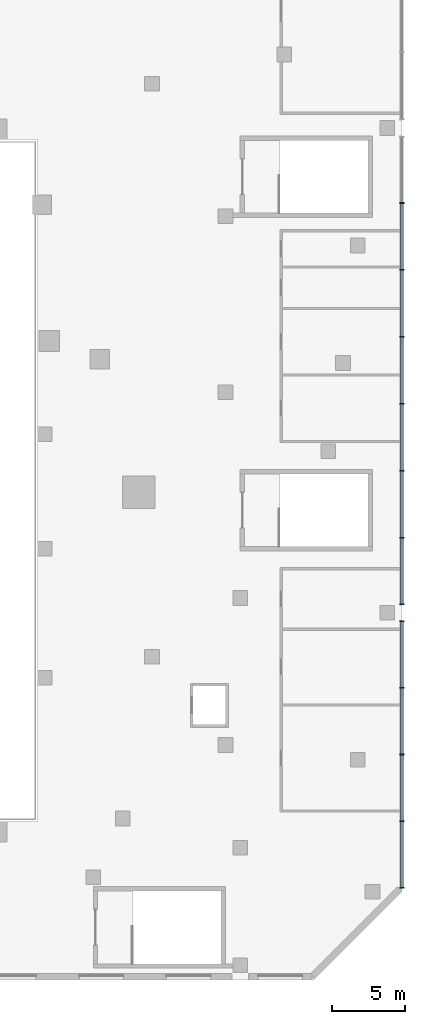
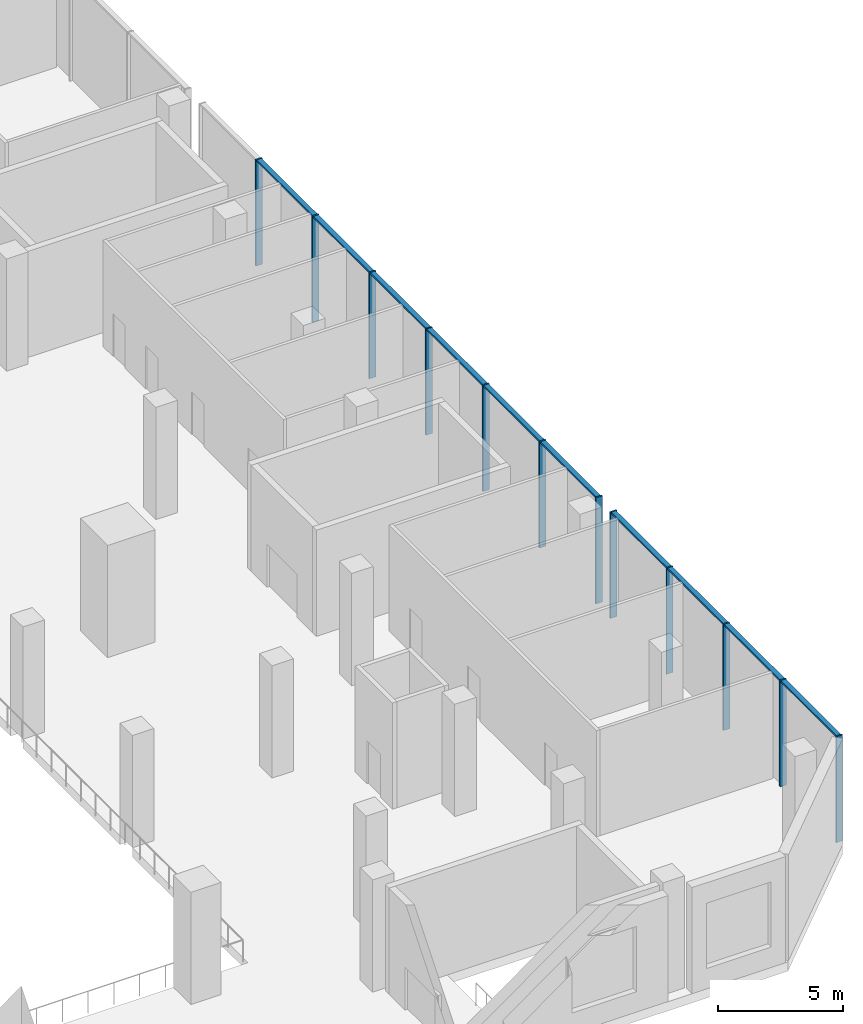
# One storey, part 4 of 25: 22 members, 2 elements without a shape of their own.
"""IFC4 building model written with IfcOpenShell, lengths in metres."""

import ifcopenshell
import ifcopenshell.guid

model = None  # the IFC model being written
_history = None  # IfcOwnerHistory: only IFC2X3 demands one
_inside = {}  # id of a spatial element -> (the spatial element, [elements in it])
_under = {}  # id of a project, library or spatial element -> (it, [spatial elements below it])
_declared = {}  # id of a project -> (the project, [libraries it declares])
_typed = {}  # id of a type object -> (the type object, [elements of that type])
_made_of = {}  # id of a material, layer set ... -> (it, [elements and type objects made of it])


def new_model(schema):
    """Start an empty IFC model of exactly this schema.

    Asked for "IFC4X3", IfcOpenShell would pick the latest addendum, in which some entities
    have other attributes; the version numbers below select the first issue.
    IFC2X3 requires an IfcOwnerHistory on every rooted entity: one is made here for all.
    """
    global model, _history
    if schema == "IFC4X3":
        model = ifcopenshell.file(schema_version=(4, 3, 0, 0))
    else:
        model = ifcopenshell.file(schema=schema)
    _inside.clear()
    _under.clear()
    _declared.clear()
    _typed.clear()
    _made_of.clear()
    _history = None
    if model.schema == "IFC2X3":
        org = make("IfcOrganization", Name="unknown")
        user = make(
            "IfcPersonAndOrganization",
            ThePerson=make("IfcPerson", FamilyName="unknown"),
            TheOrganization=org,
        )
        app = make(
            "IfcApplication",
            ApplicationDeveloper=org,
            Version="unknown",
            ApplicationFullName="unknown",
            ApplicationIdentifier="unknown",
        )
        _history = make(
            "IfcOwnerHistory",
            OwningUser=user,
            OwningApplication=app,
            ChangeAction="ADDED",
            CreationDate=0,
        )
    return model


def make(cls, **values):
    """One entity of the class cls with the attributes given. An attribute that is None is left unset."""
    return model.create_entity(
        cls, **{name: value for name, value in values.items() if value is not None}
    )


def rooted(cls, **values):
    """An entity with a GlobalId (a new one), such as an element, a storey or a relation."""
    return make(cls, GlobalId=ifcopenshell.guid.new(), OwnerHistory=_history, **values)


def si_unit(unit_type, name, prefix=None):
    """IfcSIUnit, for example si_unit("LENGTHUNIT", "METRE", prefix="MILLI")."""
    return make("IfcSIUnit", UnitType=unit_type, Prefix=prefix, Name=name)


def assignment(units):
    """IfcUnitAssignment: the units of a project."""
    return None if units is None else make("IfcUnitAssignment", Units=units)


def point(xyz):
    """IfcCartesianPoint."""
    return None if xyz is None else make("IfcCartesianPoint", Coordinates=xyz)


def direction(xyz):
    """IfcDirection."""
    return None if xyz is None else make("IfcDirection", DirectionRatios=xyz)


def frame(location, z_axis=None, x_axis=None):
    """IfcAxis2Placement3D, a coordinate frame: its origin and axes. An axis left out is left unset."""
    return make(
        "IfcAxis2Placement3D",
        Location=point(location),
        Axis=direction(z_axis),
        RefDirection=direction(x_axis),
    )


def frame_2d(location, x_axis=None):
    """IfcAxis2Placement2D, a coordinate frame in the plane: its origin and x axis."""
    return make(
        "IfcAxis2Placement2D", Location=point(location), RefDirection=direction(x_axis)
    )


def origin():
    """The frame at (0, 0, 0) with its axes left unset."""
    return frame((0.0, 0.0, 0.0))


def origin_2d():
    """The frame at (0, 0) in the plane with its x axis left unset."""
    return frame_2d((0.0, 0.0))


def place(relative_to, where):
    """IfcLocalPlacement: puts the frame where relative to a parent placement (None: the world)."""
    return make(
        "IfcLocalPlacement", PlacementRelTo=relative_to, RelativePlacement=where
    )


def context(
    kind, dimensions, precision=None, world=None, true_north=None, identifier=None
):
    """IfcGeometricRepresentationContext, for example the 3D "Model" context."""
    return make(
        "IfcGeometricRepresentationContext",
        ContextIdentifier=identifier,
        ContextType=kind,
        CoordinateSpaceDimension=dimensions,
        Precision=precision,
        WorldCoordinateSystem=world,
        TrueNorth=true_north,
    )


def subcontext(parent, identifier, kind, view, scale=None):
    """IfcGeometricRepresentationSubContext, for example "Body" below "Model"."""
    return make(
        "IfcGeometricRepresentationSubContext",
        ContextIdentifier=identifier,
        ContextType=kind,
        ParentContext=parent,
        TargetScale=scale,
        TargetView=view,
    )


def project(units=None, contexts=None):
    """IfcProject with its units and contexts."""
    return rooted(
        "IfcProject",
        Name="project",
        RepresentationContexts=contexts,
        UnitsInContext=assignment(units),
    )


def spatial(cls, under=None, at=None, **own):
    """A site, building, storey or space (cls), placed at a placement, below another one or the project."""
    s = rooted(cls, ObjectPlacement=at, **own)
    if under is not None:
        _under.setdefault(under.id(), (under, []))[1].append(s)
    return s


def profile(cls, at=None, kind="AREA", **sizes):
    """A parametric profile (cls). Its sizes go by their IFC names, for example OverallWidth=200.0."""
    return make(cls, ProfileType=kind, Position=at, **sizes)


def rectangle(**sizes):
    """IfcRectangleProfileDef."""
    return profile("IfcRectangleProfileDef", **sizes)


def extrude(swept, where, along, depth):
    """IfcExtrudedAreaSolid: the profile swept, set in the frame where, extruded along a direction by depth."""
    return make(
        "IfcExtrudedAreaSolid",
        SweptArea=swept,
        Position=where,
        ExtrudedDirection=direction(along),
        Depth=depth,
    )


def shape(context_of_items, identifier, shape_type, items):
    """IfcShapeRepresentation: the items that make up one representation, for example the "Body"."""
    return make(
        "IfcShapeRepresentation",
        ContextOfItems=context_of_items,
        RepresentationIdentifier=identifier,
        RepresentationType=shape_type,
        Items=items,
    )


def material(Name=None, Category=None):
    """IfcMaterial."""
    return make("IfcMaterial", Name=Name, Category=Category)


def material_profile(
    of_material, cross_section, Name=None, Category=None, Priority=None
):
    """IfcMaterialProfile: a cross section and its material."""
    return make(
        "IfcMaterialProfile",
        Name=Name,
        Material=of_material,
        Profile=cross_section,
        Priority=Priority,
        Category=Category,
    )


def profile_set(profiles, Name=None, composite=None):
    """IfcMaterialProfileSet."""
    return make(
        "IfcMaterialProfileSet",
        Name=Name,
        MaterialProfiles=profiles,
        CompositeProfile=composite,
    )


def made_of(thing, what):
    """Note that an element or type object is made of a material, layer set ...; save() writes the relation."""
    if what is not None:
        _made_of.setdefault(what.id(), (what, []))[1].append(thing)
    return thing


def type_object(cls, material=None, **own):
    """A type object (cls), such as IfcWallType, which elements share."""
    return made_of(rooted(cls, **own), material)


def element(
    cls,
    number,
    at=None,
    inside=None,
    cuts=None,
    type_object=None,
    material=None,
    context=None,
    identifier="Body",
    shape_type=None,
    held_by="IfcProductDefinitionShape",
    body=None,
    shapes=None,
    **own,
):
    """One element of the class cls, such as IfcWall. Its Tag is "e" and its number.

    at: its placement. inside: the storey or other place that contains it. cuts: it is an
    opening in that element (IfcRelVoidsElement). A single representation is given by context,
    identifier, shape_type and body (its items); several are given by shapes. held_by: the class
    of the entity that holds the representations. save() writes the other relations.
    """
    e = rooted(cls, Tag="e%d" % number, ObjectPlacement=at, **own)
    if body is not None:
        shapes = [shape(context, identifier, shape_type, body)]
    if shapes is not None:
        e.Representation = make(held_by, Representations=shapes)
    if inside is not None:
        _inside.setdefault(inside.id(), (inside, []))[1].append(e)
    if cuts is not None:
        rooted(
            "IfcRelVoidsElement", RelatingBuildingElement=cuts, RelatedOpeningElement=e
        )
    if type_object is not None:
        _typed.setdefault(type_object.id(), (type_object, []))[1].append(e)
    return made_of(e, material)


def aggregate(whole, parts):
    """IfcRelAggregates: a whole, such as a stair, and the parts it consists of."""
    return rooted("IfcRelAggregates", RelatingObject=whole, RelatedObjects=parts)


def save(model, path):
    """Write the relations noted so far, then the file.

    IfcRelAggregates (storeys below a building ...), IfcRelContainedInSpatialStructure (elements
    in a storey), IfcRelDefinesByType, IfcRelAssociatesMaterial and IfcRelDeclares: one each for
    every whole, place, type object, material and project.
    """
    for whole, parts in _under.values():
        aggregate(whole, parts)
    for where, things in _inside.values():
        rooted(
            "IfcRelContainedInSpatialStructure",
            RelatedElements=things,
            RelatingStructure=where,
        )
    for kind, things in _typed.values():
        rooted("IfcRelDefinesByType", RelatedObjects=things, RelatingType=kind)
    for what, things in _made_of.values():
        rooted("IfcRelAssociatesMaterial", RelatedObjects=things, RelatingMaterial=what)
    for by, libraries in _declared.values():
        rooted("IfcRelDeclares", RelatingContext=by, RelatedDefinitions=libraries)
    model.write(path)


model = new_model("IFC4")

# Units and contexts
model_context = context("Model", 3, precision=1e-05, world=origin(), true_north=direction((0.0, 1.0)))
body_context = subcontext(model_context, "Body", "Model", "MODEL_VIEW")
ifc_project = project(units=[si_unit("LENGTHUNIT", "METRE"), si_unit("AREAUNIT", "SQUARE_METRE"), si_unit("VOLUMEUNIT", "CUBIC_METRE"), si_unit("PLANEANGLEUNIT", "RADIAN"), si_unit("MASSUNIT", "GRAM", prefix="KILO")], contexts=[model_context])

# Site, building, storey
site_placement = place(None, origin())
site = spatial("IfcSite", under=ifc_project, at=site_placement, CompositionType="ELEMENT")
building_placement = place(site_placement, origin())
building = spatial("IfcBuilding", under=site, at=building_placement, Name="Wharfspan Tower", CompositionType="ELEMENT")
storey_placement = place(building_placement, frame((0.0, 0.0, 27.5)))
storey = spatial("IfcBuildingStorey", under=building, at=storey_placement, Name="L04", CompositionType="ELEMENT", Elevation=27.5)

# Curtain wall, members
ifc_material = material(Name="Aluminium 6063-T6", Category="aluminium")
curtain_wall_type = type_object("IfcCurtainWallType", Name="CURTAIN WALL ARENA STICK WALL", PredefinedType="NOTDEFINED", material=ifc_material)
curtain_wall_1_placement = place(storey_placement, origin())
curtain_wall_1 = element("IfcCurtainWall", 1, at=curtain_wall_1_placement, inside=storey, type_object=curtain_wall_type, Name="Concourse stick wall PF3.1", PredefinedType="NOTDEFINED")
ifc_material_profile_1 = material_profile(ifc_material, rectangle(XDim=0.300049, YDim=0.070068, at=origin_2d()))
ifc_profile_set_1 = profile_set([ifc_material_profile_1], Name="Aluminium 6063-T6")
member_type_1 = type_object("IfcMemberType", Name="MULLION ARENA STICK WALL 70x300", PredefinedType="MULLION", material=ifc_profile_set_1)
member_1_placement = place(storey_placement, frame((108.0, -25.715088, 0.0), z_axis=(0.0, 0.0, 1.0), x_axis=(-1.0, 0.0, 0.0)))
member_1 = element("IfcMember", 2, at=member_1_placement, type_object=member_type_1, Name="Concourse stick wall PF3.1 mullion 1", PredefinedType="MULLION", context=body_context, shape_type="SweptSolid", body=[
    extrude(rectangle(XDim=0.300049, YDim=0.070068, at=origin_2d()), origin(), (0.0, 0.0, 1.0), 5.199951),
])
member_2_placement = place(storey_placement, frame((108.0, -21.199951, 0.0), z_axis=(0.0, 0.0, 1.0), x_axis=(-1.0, 0.0, 0.0)))
member_2 = element("IfcMember", 3, at=member_2_placement, type_object=member_type_1, Name="Concourse stick wall PF3.1 mullion 2", PredefinedType="MULLION", context=body_context, shape_type="SweptSolid", body=[
    extrude(rectangle(XDim=0.300049, YDim=0.070068, at=origin_2d()), origin(), (0.0, 0.0, 1.0), 5.199951),
])
member_3_placement = place(storey_placement, frame((108.0, -16.649902, 0.0), z_axis=(0.0, 0.0, 1.0), x_axis=(-1.0, 0.0, 0.0)))
member_3 = element("IfcMember", 4, at=member_3_placement, type_object=member_type_1, Name="Concourse stick wall PF3.1 mullion 3", PredefinedType="MULLION", context=body_context, shape_type="SweptSolid", body=[
    extrude(rectangle(XDim=0.300049, YDim=0.070068, at=origin_2d()), origin(), (0.0, 0.0, 1.0), 5.199951),
])
member_4_placement = place(storey_placement, frame((108.0, -12.100098, 0.0), z_axis=(0.0, 0.0, 1.0), x_axis=(-1.0, 0.0, 0.0)))
member_4 = element("IfcMember", 5, at=member_4_placement, type_object=member_type_1, Name="Concourse stick wall PF3.1 mullion 4", PredefinedType="MULLION", context=body_context, shape_type="SweptSolid", body=[
    extrude(rectangle(XDim=0.300049, YDim=0.070068, at=origin_2d()), origin(), (0.0, 0.0, 1.0), 5.199951),
])
member_5_placement = place(storey_placement, frame((108.0, -7.584961, 0.0), z_axis=(0.0, 0.0, 1.0), x_axis=(-1.0, 0.0, 0.0)))
member_5 = element("IfcMember", 6, at=member_5_placement, type_object=member_type_1, Name="Concourse stick wall PF3.1 mullion 5", PredefinedType="MULLION", context=body_context, shape_type="SweptSolid", body=[
    extrude(rectangle(XDim=0.300049, YDim=0.070068, at=origin_2d()), origin(), (0.0, 0.0, 1.0), 5.199951),
])

curtain_wall_2_placement = place(storey_placement, origin())
curtain_wall_2 = element("IfcCurtainWall", 7, at=curtain_wall_2_placement, inside=storey, type_object=curtain_wall_type, Name="Concourse stick wall PF3.2", PredefinedType="NOTDEFINED")
member_6_placement = place(storey_placement, frame((108.0, -6.415039, 0.0), z_axis=(0.0, 0.0, 1.0), x_axis=(-1.0, 0.0, 0.0)))
member_6 = element("IfcMember", 8, at=member_6_placement, type_object=member_type_1, Name="Concourse stick wall PF3.2 mullion 1", PredefinedType="MULLION", context=body_context, shape_type="SweptSolid", body=[
    extrude(rectangle(XDim=0.300049, YDim=0.070068, at=origin_2d()), origin(), (0.0, 0.0, 1.0), 5.199951),
])
member_7_placement = place(storey_placement, frame((108.0, -1.892822, 0.0), z_axis=(0.0, 0.0, 1.0), x_axis=(-1.0, 0.0, 0.0)))
member_7 = element("IfcMember", 9, at=member_7_placement, type_object=member_type_1, Name="Concourse stick wall PF3.2 mullion 2", PredefinedType="MULLION", context=body_context, shape_type="SweptSolid", body=[
    extrude(rectangle(XDim=0.300049, YDim=0.070068, at=origin_2d()), origin(), (0.0, 0.0, 1.0), 5.199951),
])
member_8_placement = place(storey_placement, frame((108.0, 2.664307, 0.0), z_axis=(0.0, 0.0, 1.0), x_axis=(-1.0, 0.0, 0.0)))
member_8 = element("IfcMember", 10, at=member_8_placement, type_object=member_type_1, Name="Concourse stick wall PF3.2 mullion 3", PredefinedType="MULLION", context=body_context, shape_type="SweptSolid", body=[
    extrude(rectangle(XDim=0.300049, YDim=0.070068, at=origin_2d()), origin(), (0.0, 0.0, 1.0), 5.199951),
])
member_9_placement = place(storey_placement, frame((108.0, 7.221436, 0.0), z_axis=(0.0, 0.0, 1.0), x_axis=(-1.0, 0.0, 0.0)))
member_9 = element("IfcMember", 11, at=member_9_placement, type_object=member_type_1, Name="Concourse stick wall PF3.2 mullion 4", PredefinedType="MULLION", context=body_context, shape_type="SweptSolid", body=[
    extrude(rectangle(XDim=0.300049, YDim=0.070068, at=origin_2d()), origin(), (0.0, 0.0, 1.0), 5.199951),
])
member_10_placement = place(storey_placement, frame((108.0, 11.778564, 0.0), z_axis=(0.0, 0.0, 1.0), x_axis=(-1.0, 0.0, 0.0)))
member_10 = element("IfcMember", 12, at=member_10_placement, type_object=member_type_1, Name="Concourse stick wall PF3.2 mullion 5", PredefinedType="MULLION", context=body_context, shape_type="SweptSolid", body=[
    extrude(rectangle(XDim=0.300049, YDim=0.070068, at=origin_2d()), origin(), (0.0, 0.0, 1.0), 5.199951),
])
member_11_placement = place(storey_placement, frame((108.0, 16.335693, 0.0), z_axis=(0.0, 0.0, 1.0), x_axis=(-1.0, 0.0, 0.0)))
member_11 = element("IfcMember", 13, at=member_11_placement, type_object=member_type_1, Name="Concourse stick wall PF3.2 mullion 6", PredefinedType="MULLION", context=body_context, shape_type="SweptSolid", body=[
    extrude(rectangle(XDim=0.300049, YDim=0.070068, at=origin_2d()), origin(), (0.0, 0.0, 1.0), 5.199951),
])
member_12_placement = place(storey_placement, frame((108.0, 20.892822, 0.0), z_axis=(0.0, 0.0, 1.0), x_axis=(-1.0, 0.0, 0.0)))
member_12 = element("IfcMember", 14, at=member_12_placement, type_object=member_type_1, Name="Concourse stick wall PF3.2 mullion 7", PredefinedType="MULLION", context=body_context, shape_type="SweptSolid", body=[
    extrude(rectangle(XDim=0.300049, YDim=0.070068, at=origin_2d()), origin(), (0.0, 0.0, 1.0), 5.199951),
])

# Member
ifc_material_profile_2 = material_profile(ifc_material, rectangle(XDim=0.219971, YDim=0.090088, at=origin_2d()))
ifc_profile_set_2 = profile_set([ifc_material_profile_2], Name="Aluminium 6063-T6")
member_type_2 = type_object("IfcMemberType", Name="TRANSOM ARENA STICK WALL 90x220", PredefinedType="USERDEFINED", material=ifc_profile_set_2)
member_13_placement = place(storey_placement, frame((108.0, -25.679932, 5.155029), z_axis=(0.0, 1.0, 0.0), x_axis=(-1.0, 0.0, 0.0)))
member_13 = element("IfcMember", 15, at=member_13_placement, type_object=member_type_2, Name="Concourse stick wall PF3.1 transom 1", ObjectType="TRANSOM", PredefinedType="USERDEFINED", context=body_context, shape_type="SweptSolid", body=[
    extrude(rectangle(XDim=0.219971, YDim=0.090088, at=origin_2d()), origin(), (0.0, 0.0, 1.0), 4.444824),
])

member_14_placement = place(storey_placement, frame((108.0, -21.165039, 5.155029), z_axis=(0.0, 1.0, 0.0), x_axis=(-1.0, 0.0, 0.0)))
member_14 = element("IfcMember", 16, at=member_14_placement, type_object=member_type_2, Name="Concourse stick wall PF3.1 transom 2", ObjectType="TRANSOM", PredefinedType="USERDEFINED", context=body_context, shape_type="SweptSolid", body=[
    extrude(rectangle(XDim=0.219971, YDim=0.090088, at=origin_2d()), origin(), (0.0, 0.0, 1.0), 4.47998),
])

member_15_placement = place(storey_placement, frame((108.0, -16.61499, 5.155029), z_axis=(0.0, 1.0, 0.0), x_axis=(-1.0, 0.0, 0.0)))
member_15 = element("IfcMember", 17, at=member_15_placement, type_object=member_type_2, Name="Concourse stick wall PF3.1 transom 3", ObjectType="TRANSOM", PredefinedType="USERDEFINED", context=body_context, shape_type="SweptSolid", body=[
    extrude(rectangle(XDim=0.219971, YDim=0.090088, at=origin_2d()), origin(), (0.0, 0.0, 1.0), 4.47998),
])

member_16_placement = place(storey_placement, frame((108.0, -12.064941, 5.155029), z_axis=(0.0, 1.0, 0.0), x_axis=(-1.0, 0.0, 0.0)))
member_16 = element("IfcMember", 18, at=member_16_placement, type_object=member_type_2, Name="Concourse stick wall PF3.1 transom 4", ObjectType="TRANSOM", PredefinedType="USERDEFINED", context=body_context, shape_type="SweptSolid", body=[
    extrude(rectangle(XDim=0.219971, YDim=0.090088, at=origin_2d()), origin(), (0.0, 0.0, 1.0), 4.444824),
])

aggregate(curtain_wall_1, [member_1, member_2, member_3, member_4, member_5, member_13, member_14, member_15, member_16])

member_17_placement = place(storey_placement, frame((108.0, -6.379883, 5.155029), z_axis=(0.0, 1.0, 0.0), x_axis=(-1.0, 0.0, 0.0)))
member_17 = element("IfcMember", 19, at=member_17_placement, type_object=member_type_2, Name="Concourse stick wall PF3.2 transom 1", ObjectType="TRANSOM", PredefinedType="USERDEFINED", context=body_context, shape_type="SweptSolid", body=[
    extrude(rectangle(XDim=0.219971, YDim=0.090088, at=origin_2d()), origin(), (0.0, 0.0, 1.0), 4.451904),
])

member_18_placement = place(storey_placement, frame((108.0, -1.85791, 5.155029), z_axis=(0.0, 1.0, 0.0), x_axis=(-1.0, 0.0, 0.0)))
member_18 = element("IfcMember", 20, at=member_18_placement, type_object=member_type_2, Name="Concourse stick wall PF3.2 transom 2", ObjectType="TRANSOM", PredefinedType="USERDEFINED", context=body_context, shape_type="SweptSolid", body=[
    extrude(rectangle(XDim=0.219971, YDim=0.090088, at=origin_2d()), origin(), (0.0, 0.0, 1.0), 4.487305),
])

member_19_placement = place(storey_placement, frame((108.0, 2.699219, 5.155029), z_axis=(0.0, 1.0, 0.0), x_axis=(-1.0, 0.0, 0.0)))
member_19 = element("IfcMember", 21, at=member_19_placement, type_object=member_type_2, Name="Concourse stick wall PF3.2 transom 3", ObjectType="TRANSOM", PredefinedType="USERDEFINED", context=body_context, shape_type="SweptSolid", body=[
    extrude(rectangle(XDim=0.219971, YDim=0.090088, at=origin_2d()), origin(), (0.0, 0.0, 1.0), 4.487305),
])

member_20_placement = place(storey_placement, frame((108.0, 7.256348, 5.155029), z_axis=(0.0, 1.0, 0.0), x_axis=(-1.0, 0.0, 0.0)))
member_20 = element("IfcMember", 22, at=member_20_placement, type_object=member_type_2, Name="Concourse stick wall PF3.2 transom 4", ObjectType="TRANSOM", PredefinedType="USERDEFINED", context=body_context, shape_type="SweptSolid", body=[
    extrude(rectangle(XDim=0.219971, YDim=0.090088, at=origin_2d()), origin(), (0.0, 0.0, 1.0), 4.487305),
])

member_21_placement = place(storey_placement, frame((108.0, 11.813477, 5.155029), z_axis=(0.0, 1.0, 0.0), x_axis=(-1.0, 0.0, 0.0)))
member_21 = element("IfcMember", 23, at=member_21_placement, type_object=member_type_2, Name="Concourse stick wall PF3.2 transom 5", ObjectType="TRANSOM", PredefinedType="USERDEFINED", context=body_context, shape_type="SweptSolid", body=[
    extrude(rectangle(XDim=0.219971, YDim=0.090088, at=origin_2d()), origin(), (0.0, 0.0, 1.0), 4.487305),
])

member_22_placement = place(storey_placement, frame((108.0, 16.370605, 5.155029), z_axis=(0.0, 1.0, 0.0), x_axis=(-1.0, 0.0, 0.0)))
member_22 = element("IfcMember", 24, at=member_22_placement, type_object=member_type_2, Name="Concourse stick wall PF3.2 transom 6", ObjectType="TRANSOM", PredefinedType="USERDEFINED", context=body_context, shape_type="SweptSolid", body=[
    extrude(rectangle(XDim=0.219971, YDim=0.090088, at=origin_2d()), origin(), (0.0, 0.0, 1.0), 4.487305),
])

aggregate(curtain_wall_2, [member_6, member_7, member_8, member_9, member_10, member_11, member_12, member_17, member_18, member_19, member_20, member_21, member_22])

save(model, "model.ifc")
